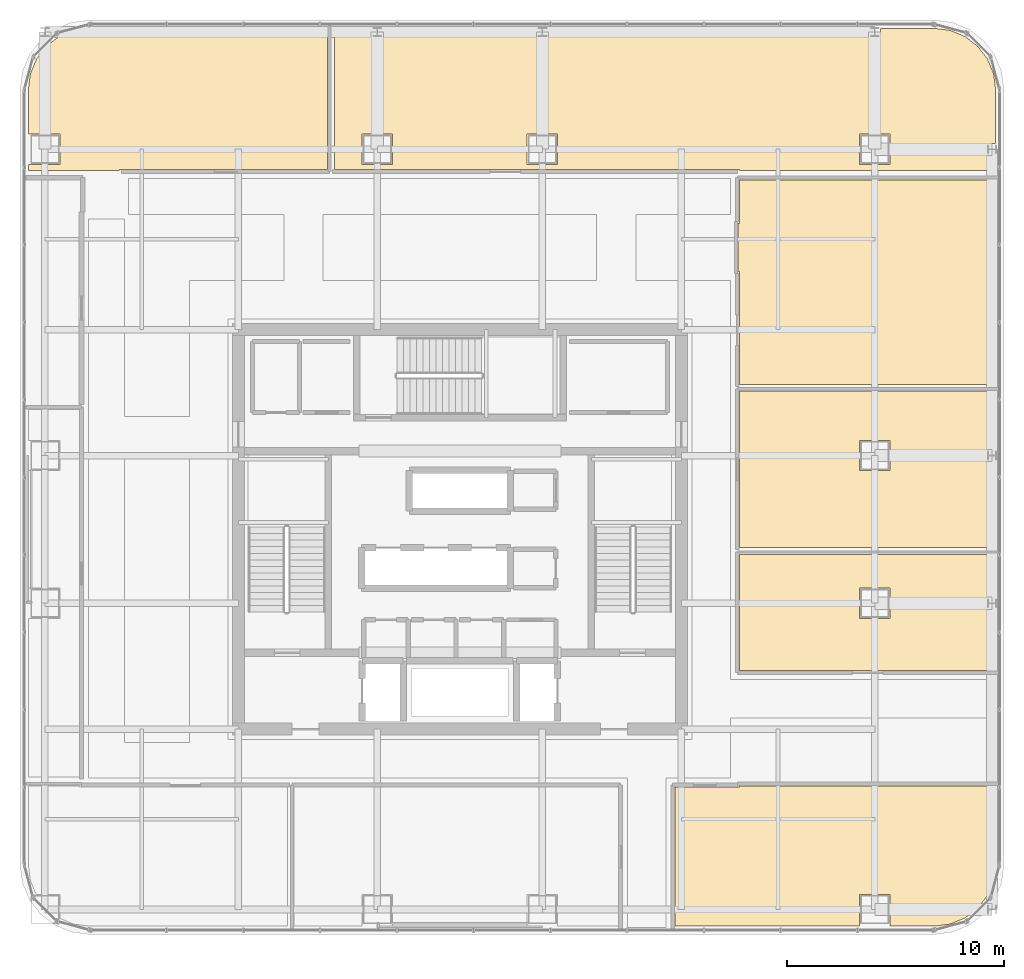
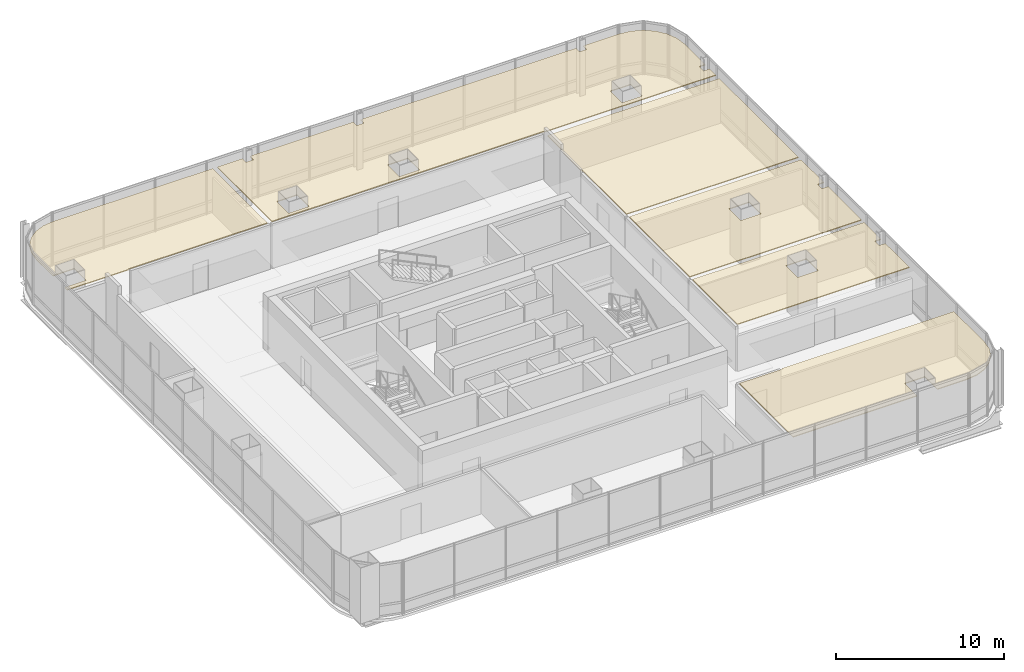
# One storey, part 42 of 42: 6 coverings.
"""IFC4 building model written with IfcOpenShell, lengths in metres."""

from ifc_helpers import new_model, si_unit, direction, frame, origin, place, context, subcontext, project, spatial, polyline, outline, extrude, material, layer, layer_set, type_object, element, save


model = new_model("IFC4")

# Units and contexts
model_context = context("Model", 3, precision=1e-05, world=origin(), true_north=direction((0.0, 1.0)))
body_context = subcontext(model_context, "Body", "Model", "MODEL_VIEW")
ifc_project = project(units=[si_unit("LENGTHUNIT", "METRE"), si_unit("AREAUNIT", "SQUARE_METRE"), si_unit("VOLUMEUNIT", "CUBIC_METRE"), si_unit("PLANEANGLEUNIT", "RADIAN"), si_unit("MASSUNIT", "GRAM", prefix="KILO")], contexts=[model_context])

# Site, building, storey
site_placement = place(None, origin())
site = spatial("IfcSite", under=ifc_project, at=site_placement, CompositionType="ELEMENT")
building_placement = place(site_placement, origin())
building = spatial("IfcBuilding", under=site, at=building_placement, Name="Punatoya Terracotta Tower", CompositionType="ELEMENT")
storey_placement = place(building_placement, frame((0.0, 0.0, 263.550048828125)))
storey = spatial("IfcBuildingStorey", under=building, at=storey_placement, Name="L62", CompositionType="ELEMENT", Elevation=263.550048828125)

# Coverings
ifc_material = material(Name="Acoustic Mineral Fibre Ceiling")
ifc_layer = layer(ifc_material, 0.06005859375)
ifc_layer_set = layer_set([ifc_layer], Name="Acoustic Mineral Fibre Ceiling")
covering_type = type_object("IfcCoveringType", Name="COV-CEIL-60", PredefinedType="CEILING", material=ifc_layer_set)
covering_1_placement = place(storey_placement, frame((0.0, 0.0, 3.239990234375)))
element("IfcCovering", 1, at=covering_1_placement, inside=storey, type_object=covering_type, Name="L62 Open-Plan Graphic Design Workplace Acoustic Ceiling", PredefinedType="CEILING", context=body_context, shape_type="SweptSolid", body=[
    extrude(outline(polyline([(12.8701171875, -11.8701171875), (9.89990234375, -11.8701171875), (9.89990234375, -18.27001953125), (18.39990234375, -18.27001953125), (18.39990234375, -16.800048828125), (19.800048828125, -16.800048828125), (19.800048828125, -18.27001953125), (21.8251953125, -18.27001953125), (22.5791015625, -18.1708984375), (23.25830078125, -17.889404296875), (23.841796875, -17.441650390625), (24.289306640625, -16.8583984375), (24.57080078125, -16.178955078125), (24.669921875, -15.425048828125), (24.669921875, -11.81005859375), (12.8701171875, -11.81005859375), (12.8701171875, -11.8701171875)])), origin(), (0.0, 0.0, 1.0), 0.06005859375),
])
covering_2_placement = place(storey_placement, frame((0.0, 0.0, 3.239990234375)))
element("IfcCovering", 2, at=covering_2_placement, inside=storey, type_object=covering_type, Name="L62 Open-Plan Press Briefing Room Acoustic Ceiling", PredefinedType="CEILING", context=body_context, shape_type="SweptSolid", body=[
    extrude(outline(polyline([(24.669921875, -3.14208984375), (24.669921875, -1.14599609375), (12.8701171875, -1.14599609375), (12.8701171875, -6.5), (24.669921875, -6.5), (24.669921875, -3.657958984375), (24.2470703125, -3.657958984375), (24.2470703125, -3.14208984375), (24.669921875, -3.14208984375)]), holes=[polyline([(18.39990234375, -4.10009765625), (18.39990234375, -2.699951171875), (19.800048828125, -2.699951171875), (19.800048828125, -4.10009765625), (18.39990234375, -4.10009765625)])]), origin(), (0.0, 0.0, 1.0), 0.06005859375),
])
covering_3_placement = place(storey_placement, frame((0.0, 0.0, 3.239990234375)))
element("IfcCovering", 3, at=covering_3_placement, inside=storey, type_object=covering_type, Name="L62 Open-Plan Acoustic Wellness Room Acoustic Ceiling", PredefinedType="CEILING", context=body_context, shape_type="SweptSolid", body=[
    extrude(outline(polyline([(24.669921875, 3.657958984375), (24.669921875, 6.360107421875), (12.8701171875, 6.360107421875), (12.8701171875, -0.825927734375), (24.669921875, -0.825927734375), (24.669921875, 3.14208984375), (24.2470703125, 3.14208984375), (24.2470703125, 3.657958984375), (24.669921875, 3.657958984375)]), holes=[polyline([(18.39990234375, 4.10009765625), (19.800048828125, 4.10009765625), (19.800048828125, 2.699951171875), (18.39990234375, 2.699951171875), (18.39990234375, 4.10009765625)])]), origin(), (0.0, 0.0, 1.0), 0.06005859375),
])
covering_4_placement = place(storey_placement, frame((0.0, 0.0, 3.239990234375)))
element("IfcCovering", 4, at=covering_4_placement, inside=storey, type_object=covering_type, Name="L62 Editorial Conference Room Acoustic Ceiling", PredefinedType="CEILING", context=body_context, shape_type="SweptSolid", body=[
    extrude(outline(polyline([(12.81005859375, 11.8701171875), (12.8701171875, 11.8701171875), (12.8701171875, 6.679931640625), (24.669921875, 6.679931640625), (24.669921875, 16.090087890625), (12.8701171875, 16.090087890625), (12.8701171875, 14.080078125), (12.81005859375, 14.080078125), (12.81005859375, 11.8701171875)])), origin(), (0.0, 0.0, 1.0), 0.06005859375),
])
covering_5_placement = place(storey_placement, frame((0.0, 0.0, 3.239990234375)))
element("IfcCovering", 5, at=covering_5_placement, inside=storey, type_object=covering_type, Name="L62 Open-Plan Client Briefing Office Acoustic Ceiling", PredefinedType="CEILING", context=body_context, shape_type="SweptSolid", body=[
    extrude(outline(polyline([(-19.8701171875, 16.800048828125), (-19.8701171875, 16.510009765625), (-15.669921875, 16.510009765625), (-15.669921875, 16.570068359375), (-6.093994140625, 16.570068359375), (-6.093994140625, 23.070068359375), (-17.025146484375, 23.070068359375), (-17.779052734375, 22.970703125), (-18.458251953125, 22.689453125), (-19.041748046875, 22.24169921875), (-19.489501953125, 21.658203125), (-19.770751953125, 20.97900390625), (-19.8701171875, 20.22509765625), (-19.8701171875, 18.199951171875), (-18.39990234375, 18.199951171875), (-18.39990234375, 16.800048828125), (-19.8701171875, 16.800048828125)])), origin(), (0.0, 0.0, 1.0), 0.06005859375),
])
covering_6_placement = place(storey_placement, frame((0.0, 0.0, 3.239990234375)))
element("IfcCovering", 6, at=covering_6_placement, inside=storey, type_object=covering_type, Name="L62 Visualization Review Room Acoustic Ceiling", PredefinedType="CEILING", context=body_context, shape_type="SweptSolid", body=[
    extrude(outline(polyline([(4.052978515625, 22.64208984375), (3.547119140625, 22.64208984375), (3.547119140625, 23.070068359375), (-3.547119140625, 23.070068359375), (-3.547119140625, 22.64208984375), (-4.052978515625, 22.64208984375), (-4.052978515625, 23.070068359375), (-5.77392578125, 23.070068359375), (-5.77392578125, 16.570068359375), (12.8701171875, 16.570068359375), (12.8701171875, 16.510009765625), (24.669921875, 16.510009765625), (24.669921875, 17.241943359375), (24.2470703125, 17.241943359375), (24.2470703125, 17.758056640625), (24.669921875, 17.758056640625), (24.669921875, 20.22509765625), (24.57080078125, 20.97900390625), (24.289306640625, 21.658203125), (23.841796875, 22.24169921875), (23.25830078125, 22.689453125), (22.5791015625, 22.970703125), (21.8251953125, 23.070068359375), (19.35302734375, 23.070068359375), (19.35302734375, 22.64208984375), (18.846923828125, 22.64208984375), (18.846923828125, 23.070068359375), (4.052978515625, 23.070068359375), (4.052978515625, 22.64208984375)]), holes=[polyline([(19.800048828125, 18.199951171875), (19.800048828125, 16.800048828125), (18.39990234375, 16.800048828125), (18.39990234375, 18.199951171875), (19.800048828125, 18.199951171875)]), polyline([(4.5, 16.800048828125), (3.10009765625, 16.800048828125), (3.10009765625, 18.199951171875), (4.5, 18.199951171875), (4.5, 16.800048828125)]), polyline([(-4.5, 16.800048828125), (-4.5, 18.199951171875), (-3.10009765625, 18.199951171875), (-3.10009765625, 16.800048828125), (-4.5, 16.800048828125)])]), origin(), (0.0, 0.0, 1.0), 0.06005859375),
])

save(model, "model.ifc")
